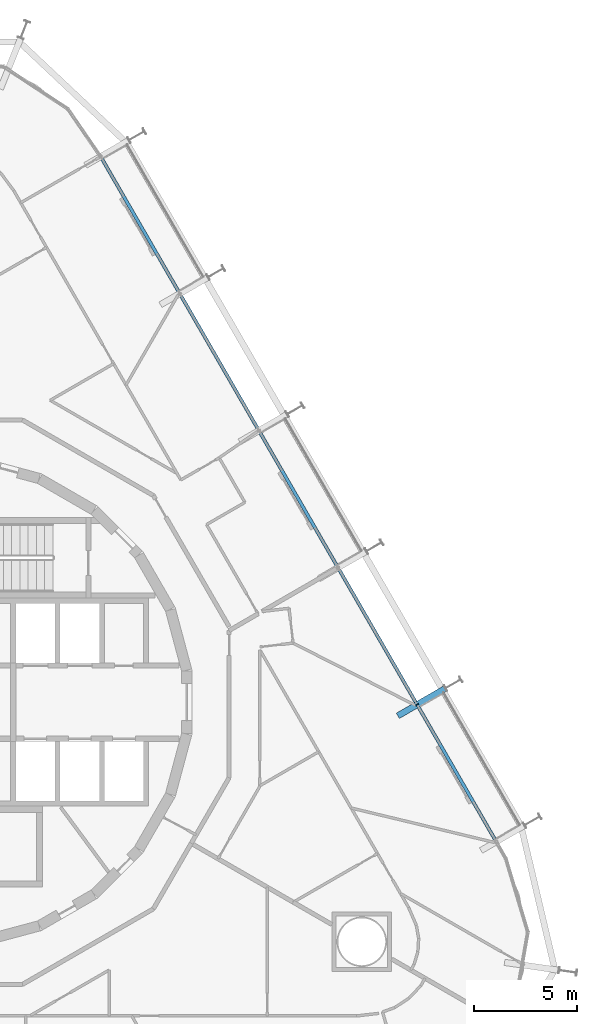
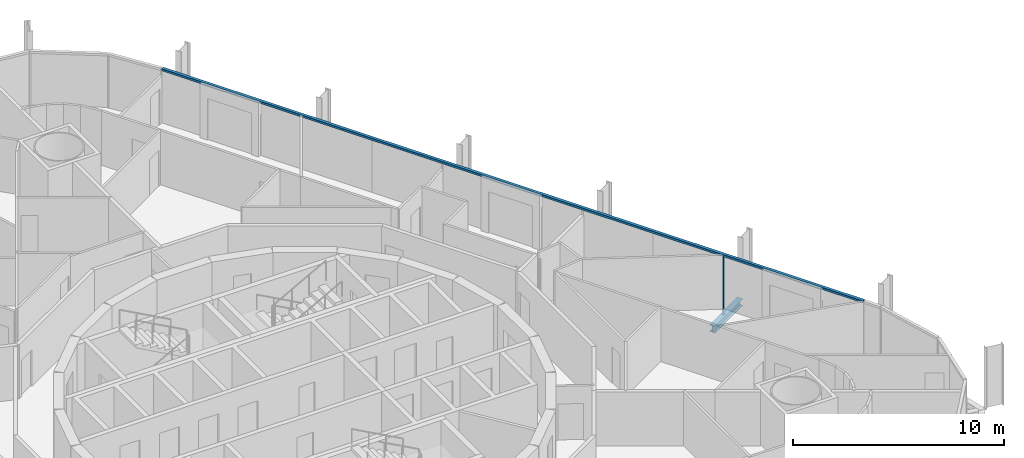
# One storey, part 7 of 21: 2 members, 1 beam, 1 element without a shape of its own.
"""IFC4 building model written with IfcOpenShell, lengths in metres."""

import ifcopenshell
import ifcopenshell.guid

model = None  # the IFC model being written
_history = None  # IfcOwnerHistory: only IFC2X3 demands one
_inside = {}  # id of a spatial element -> (the spatial element, [elements in it])
_under = {}  # id of a project, library or spatial element -> (it, [spatial elements below it])
_declared = {}  # id of a project -> (the project, [libraries it declares])
_typed = {}  # id of a type object -> (the type object, [elements of that type])
_made_of = {}  # id of a material, layer set ... -> (it, [elements and type objects made of it])


def new_model(schema):
    """Start an empty IFC model of exactly this schema.

    Asked for "IFC4X3", IfcOpenShell would pick the latest addendum, in which some entities
    have other attributes; the version numbers below select the first issue.
    IFC2X3 requires an IfcOwnerHistory on every rooted entity: one is made here for all.
    """
    global model, _history
    if schema == "IFC4X3":
        model = ifcopenshell.file(schema_version=(4, 3, 0, 0))
    else:
        model = ifcopenshell.file(schema=schema)
    _inside.clear()
    _under.clear()
    _declared.clear()
    _typed.clear()
    _made_of.clear()
    _history = None
    if model.schema == "IFC2X3":
        org = make("IfcOrganization", Name="unknown")
        user = make(
            "IfcPersonAndOrganization",
            ThePerson=make("IfcPerson", FamilyName="unknown"),
            TheOrganization=org,
        )
        app = make(
            "IfcApplication",
            ApplicationDeveloper=org,
            Version="unknown",
            ApplicationFullName="unknown",
            ApplicationIdentifier="unknown",
        )
        _history = make(
            "IfcOwnerHistory",
            OwningUser=user,
            OwningApplication=app,
            ChangeAction="ADDED",
            CreationDate=0,
        )
    return model


def make(cls, **values):
    """One entity of the class cls with the attributes given. An attribute that is None is left unset."""
    return model.create_entity(
        cls, **{name: value for name, value in values.items() if value is not None}
    )


def rooted(cls, **values):
    """An entity with a GlobalId (a new one), such as an element, a storey or a relation."""
    return make(cls, GlobalId=ifcopenshell.guid.new(), OwnerHistory=_history, **values)


def si_unit(unit_type, name, prefix=None):
    """IfcSIUnit, for example si_unit("LENGTHUNIT", "METRE", prefix="MILLI")."""
    return make("IfcSIUnit", UnitType=unit_type, Prefix=prefix, Name=name)


def assignment(units):
    """IfcUnitAssignment: the units of a project."""
    return None if units is None else make("IfcUnitAssignment", Units=units)


def point(xyz):
    """IfcCartesianPoint."""
    return None if xyz is None else make("IfcCartesianPoint", Coordinates=xyz)


def direction(xyz):
    """IfcDirection."""
    return None if xyz is None else make("IfcDirection", DirectionRatios=xyz)


def frame(location, z_axis=None, x_axis=None):
    """IfcAxis2Placement3D, a coordinate frame: its origin and axes. An axis left out is left unset."""
    return make(
        "IfcAxis2Placement3D",
        Location=point(location),
        Axis=direction(z_axis),
        RefDirection=direction(x_axis),
    )


def frame_2d(location, x_axis=None):
    """IfcAxis2Placement2D, a coordinate frame in the plane: its origin and x axis."""
    return make(
        "IfcAxis2Placement2D", Location=point(location), RefDirection=direction(x_axis)
    )


def origin():
    """The frame at (0, 0, 0) with its axes left unset."""
    return frame((0.0, 0.0, 0.0))


def origin_2d():
    """The frame at (0, 0) in the plane with its x axis left unset."""
    return frame_2d((0.0, 0.0))


def place(relative_to, where):
    """IfcLocalPlacement: puts the frame where relative to a parent placement (None: the world)."""
    return make(
        "IfcLocalPlacement", PlacementRelTo=relative_to, RelativePlacement=where
    )


def context(
    kind, dimensions, precision=None, world=None, true_north=None, identifier=None
):
    """IfcGeometricRepresentationContext, for example the 3D "Model" context."""
    return make(
        "IfcGeometricRepresentationContext",
        ContextIdentifier=identifier,
        ContextType=kind,
        CoordinateSpaceDimension=dimensions,
        Precision=precision,
        WorldCoordinateSystem=world,
        TrueNorth=true_north,
    )


def subcontext(parent, identifier, kind, view, scale=None):
    """IfcGeometricRepresentationSubContext, for example "Body" below "Model"."""
    return make(
        "IfcGeometricRepresentationSubContext",
        ContextIdentifier=identifier,
        ContextType=kind,
        ParentContext=parent,
        TargetScale=scale,
        TargetView=view,
    )


def project(units=None, contexts=None):
    """IfcProject with its units and contexts."""
    return rooted(
        "IfcProject",
        Name="project",
        RepresentationContexts=contexts,
        UnitsInContext=assignment(units),
    )


def spatial(cls, under=None, at=None, **own):
    """A site, building, storey or space (cls), placed at a placement, below another one or the project."""
    s = rooted(cls, ObjectPlacement=at, **own)
    if under is not None:
        _under.setdefault(under.id(), (under, []))[1].append(s)
    return s


def profile(cls, at=None, kind="AREA", **sizes):
    """A parametric profile (cls). Its sizes go by their IFC names, for example OverallWidth=200.0."""
    return make(cls, ProfileType=kind, Position=at, **sizes)


def rectangle(**sizes):
    """IfcRectangleProfileDef."""
    return profile("IfcRectangleProfileDef", **sizes)


def i_section(**sizes):
    """IfcIShapeProfileDef."""
    return profile("IfcIShapeProfileDef", **sizes)


def extrude(swept, where, along, depth):
    """IfcExtrudedAreaSolid: the profile swept, set in the frame where, extruded along a direction by depth."""
    return make(
        "IfcExtrudedAreaSolid",
        SweptArea=swept,
        Position=where,
        ExtrudedDirection=direction(along),
        Depth=depth,
    )


def shape(context_of_items, identifier, shape_type, items):
    """IfcShapeRepresentation: the items that make up one representation, for example the "Body"."""
    return make(
        "IfcShapeRepresentation",
        ContextOfItems=context_of_items,
        RepresentationIdentifier=identifier,
        RepresentationType=shape_type,
        Items=items,
    )


def material(Name=None, Category=None):
    """IfcMaterial."""
    return make("IfcMaterial", Name=Name, Category=Category)


def layer(
    of_material, thickness, ventilated=None, Name=None, Category=None, Priority=None
):
    """IfcMaterialLayer: one layer of a wall or slab, of a material (None: an air gap)."""
    return make(
        "IfcMaterialLayer",
        Material=of_material,
        LayerThickness=thickness,
        IsVentilated=ventilated,
        Name=Name,
        Category=Category,
        Priority=Priority,
    )


def layer_set(layers, Name=None):
    """IfcMaterialLayerSet."""
    return make("IfcMaterialLayerSet", MaterialLayers=layers, LayerSetName=Name)


def material_profile(
    of_material, cross_section, Name=None, Category=None, Priority=None
):
    """IfcMaterialProfile: a cross section and its material."""
    return make(
        "IfcMaterialProfile",
        Name=Name,
        Material=of_material,
        Profile=cross_section,
        Priority=Priority,
        Category=Category,
    )


def profile_set(profiles, Name=None, composite=None):
    """IfcMaterialProfileSet."""
    return make(
        "IfcMaterialProfileSet",
        Name=Name,
        MaterialProfiles=profiles,
        CompositeProfile=composite,
    )


def made_of(thing, what):
    """Note that an element or type object is made of a material, layer set ...; save() writes the relation."""
    if what is not None:
        _made_of.setdefault(what.id(), (what, []))[1].append(thing)
    return thing


def type_object(cls, material=None, **own):
    """A type object (cls), such as IfcWallType, which elements share."""
    return made_of(rooted(cls, **own), material)


def element(
    cls,
    number,
    at=None,
    inside=None,
    cuts=None,
    type_object=None,
    material=None,
    context=None,
    identifier="Body",
    shape_type=None,
    held_by="IfcProductDefinitionShape",
    body=None,
    shapes=None,
    **own,
):
    """One element of the class cls, such as IfcWall. Its Tag is "e" and its number.

    at: its placement. inside: the storey or other place that contains it. cuts: it is an
    opening in that element (IfcRelVoidsElement). A single representation is given by context,
    identifier, shape_type and body (its items); several are given by shapes. held_by: the class
    of the entity that holds the representations. save() writes the other relations.
    """
    e = rooted(cls, Tag="e%d" % number, ObjectPlacement=at, **own)
    if body is not None:
        shapes = [shape(context, identifier, shape_type, body)]
    if shapes is not None:
        e.Representation = make(held_by, Representations=shapes)
    if inside is not None:
        _inside.setdefault(inside.id(), (inside, []))[1].append(e)
    if cuts is not None:
        rooted(
            "IfcRelVoidsElement", RelatingBuildingElement=cuts, RelatedOpeningElement=e
        )
    if type_object is not None:
        _typed.setdefault(type_object.id(), (type_object, []))[1].append(e)
    return made_of(e, material)


def aggregate(whole, parts):
    """IfcRelAggregates: a whole, such as a stair, and the parts it consists of."""
    return rooted("IfcRelAggregates", RelatingObject=whole, RelatedObjects=parts)


def save(model, path):
    """Write the relations noted so far, then the file.

    IfcRelAggregates (storeys below a building ...), IfcRelContainedInSpatialStructure (elements
    in a storey), IfcRelDefinesByType, IfcRelAssociatesMaterial and IfcRelDeclares: one each for
    every whole, place, type object, material and project.
    """
    for whole, parts in _under.values():
        aggregate(whole, parts)
    for where, things in _inside.values():
        rooted(
            "IfcRelContainedInSpatialStructure",
            RelatedElements=things,
            RelatingStructure=where,
        )
    for kind, things in _typed.values():
        rooted("IfcRelDefinesByType", RelatedObjects=things, RelatingType=kind)
    for what, things in _made_of.values():
        rooted("IfcRelAssociatesMaterial", RelatedObjects=things, RelatingMaterial=what)
    for by, libraries in _declared.values():
        rooted("IfcRelDeclares", RelatingContext=by, RelatedDefinitions=libraries)
    model.write(path)


model = new_model("IFC4")

# Units and contexts
model_context = context("Model", 3, precision=1e-05, world=origin(), true_north=direction((0.0, 1.0)))
body_context = subcontext(model_context, "Body", "Model", "MODEL_VIEW")
ifc_project = project(units=[si_unit("LENGTHUNIT", "METRE"), si_unit("AREAUNIT", "SQUARE_METRE"), si_unit("VOLUMEUNIT", "CUBIC_METRE"), si_unit("PLANEANGLEUNIT", "RADIAN"), si_unit("MASSUNIT", "GRAM", prefix="KILO")], contexts=[model_context])

# Site, building, storey
site_placement = place(None, origin())
site = spatial("IfcSite", under=ifc_project, at=site_placement, CompositionType="ELEMENT")
building_placement = place(site_placement, origin())
building = spatial("IfcBuilding", under=site, at=building_placement, Name="Spindle Arch Residences", CompositionType="ELEMENT")
storey_placement = place(building_placement, frame((0.0, 0.0, 62.89990234375)))
storey = spatial("IfcBuildingStorey", under=building, at=storey_placement, Name="L14", CompositionType="ELEMENT", Elevation=62.89990234375)

# Curtain wall, members
ifc_material_1 = material(Name="Aluminium bronze unitised frame with tinted glass", Category="aluminium")
ifc_layer = layer(ifc_material_1, 0.159912109375)
ifc_layer_set = layer_set([ifc_layer], Name="CW-C typical residential unitised wall")
curtain_wall_type = type_object("IfcCurtainWallType", Name="CW-C typical residential unitised wall", PredefinedType="NOTDEFINED", material=ifc_layer_set)
curtain_wall_placement = place(storey_placement, origin())
curtain_wall = element("IfcCurtainWall", 1, at=curtain_wall_placement, inside=storey, type_object=curtain_wall_type, Name="CW-C L14 run 2", PredefinedType="NOTDEFINED")
ifc_material_2 = material(Name="Aluminium bronze anodised mullion", Category="aluminium")
ifc_material_profile_1 = material_profile(ifc_material_2, rectangle(XDim=0.159912109375, YDim=0.06005859375, at=origin_2d()), Name="MU 60x160")
ifc_profile_set_1 = profile_set([ifc_material_profile_1], Name="Aluminium bronze anodised mullion")
member_type_1 = type_object("IfcMemberType", Name="Bronze mullion 60x160", PredefinedType="MULLION", material=ifc_profile_set_1)
member_1_placement = place(storey_placement, frame((22.829345703125, -0.121826171875, -0.3798828125), z_axis=(0.0, 0.0, 1.0), x_axis=(-0.866025403784, -0.5, 0.0)))
member_1 = element("IfcMember", 2, at=member_1_placement, type_object=member_type_1, Name="CW-C mullion 06", PredefinedType="MULLION", context=body_context, shape_type="SweptSolid", body=[
    extrude(rectangle(XDim=0.159912109375, YDim=0.06005859375, at=origin_2d()), origin(), (0.0, 0.0, 1.0), 3.3798828125),
])
ifc_material_3 = material(Name="Aluminium bronze anodised transom", Category="aluminium")
ifc_material_profile_2 = material_profile(ifc_material_3, rectangle(XDim=0.159912109375, YDim=0.1201171875, at=origin_2d()), Name="TR 120x160")
ifc_profile_set_2 = profile_set([ifc_material_profile_2], Name="Aluminium bronze anodised transom")
member_type_2 = type_object("IfcMemberType", Name="Bronze transom 120x160", PredefinedType="USERDEFINED", material=ifc_profile_set_2)
member_2_placement = place(storey_placement, frame((26.654296875, -6.746826171875, 3.06005859375), z_axis=(-0.50000099666, 0.866024828362, 0.0), x_axis=(-0.866024828362, -0.50000099666, 0.0)))
member_2 = element("IfcMember", 3, at=member_2_placement, type_object=member_type_2, Name="CW-C transom 00", ObjectType="TRANSOM", PredefinedType="USERDEFINED", context=body_context, shape_type="SweptSolid", body=[
    extrude(rectangle(XDim=0.159912109375, YDim=0.1201171875, at=origin_2d()), origin(), (0.0, 0.0, 1.0), 38.34033203125),
])
aggregate(curtain_wall, [member_2, member_1])

# Beam
ifc_material_4 = material(Name="Steel S460ML, intumescent coating R 120", Category="steel")
ifc_material_profile_3 = material_profile(ifc_material_4, i_section(OverallWidth=0.300048828125, OverallDepth=0.389892578125, WebThickness=0.010986328125, FlangeThickness=0.01904296875, FilletRadius=0.027099609375, at=origin_2d()), Name="HEA 400")
ifc_profile_set_3 = profile_set([ifc_material_profile_3], Name="Steel S460ML, intumescent coating R 120")
beam_type = type_object("IfcBeamType", Name="Floor outrigger HEA 400", PredefinedType="BEAM", material=ifc_profile_set_3)
beam_placement = place(storey_placement, frame((24.18896484375, 0.6630859375, -0.574951171875), z_axis=(-0.866029095148, -0.499993606316, 0.0), x_axis=(0.499993606316, -0.866029095148, 0.0)))
element("IfcBeam", 4, at=beam_placement, inside=storey, type_object=beam_type, Name="Floor outrigger 7", PredefinedType="BEAM", context=body_context, shape_type="SweptSolid", body=[
    extrude(i_section(OverallWidth=0.300048828125, OverallDepth=0.389892578125, WebThickness=0.010986328125, FlangeThickness=0.01904296875, FilletRadius=0.027099609375, at=origin_2d()), origin(), (0.0, 0.0, 1.0), 2.64990234375),
])

save(model, "model.ifc")
